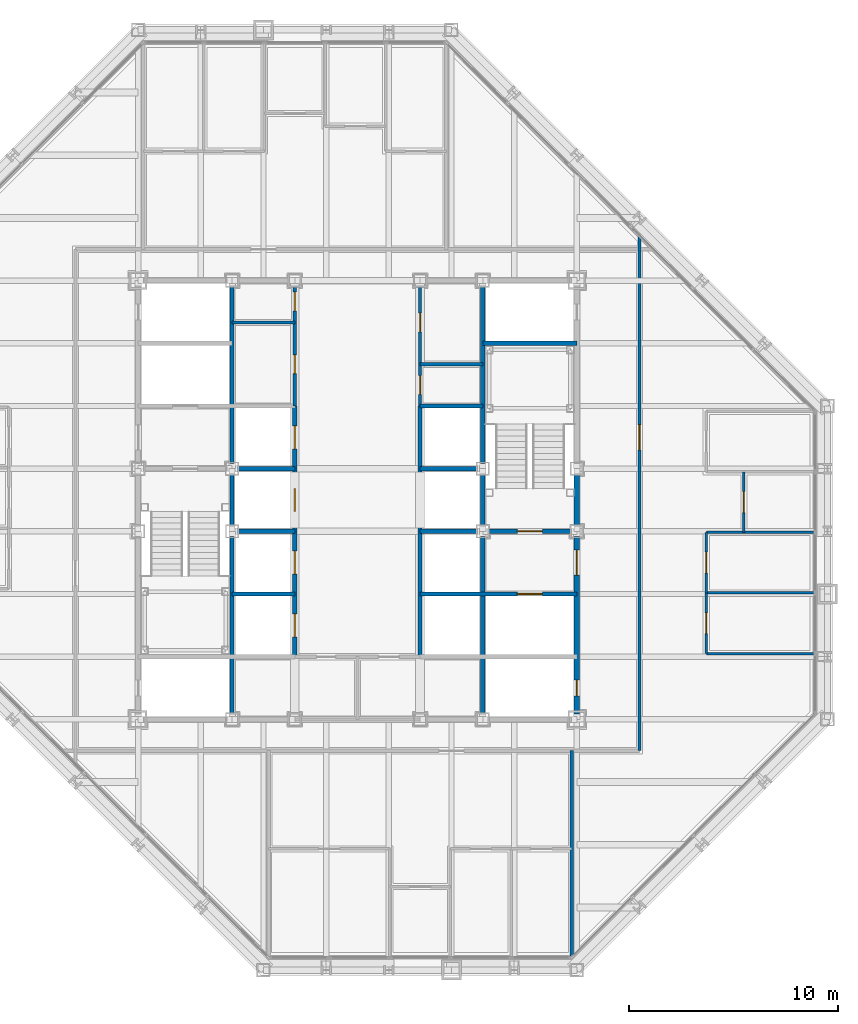
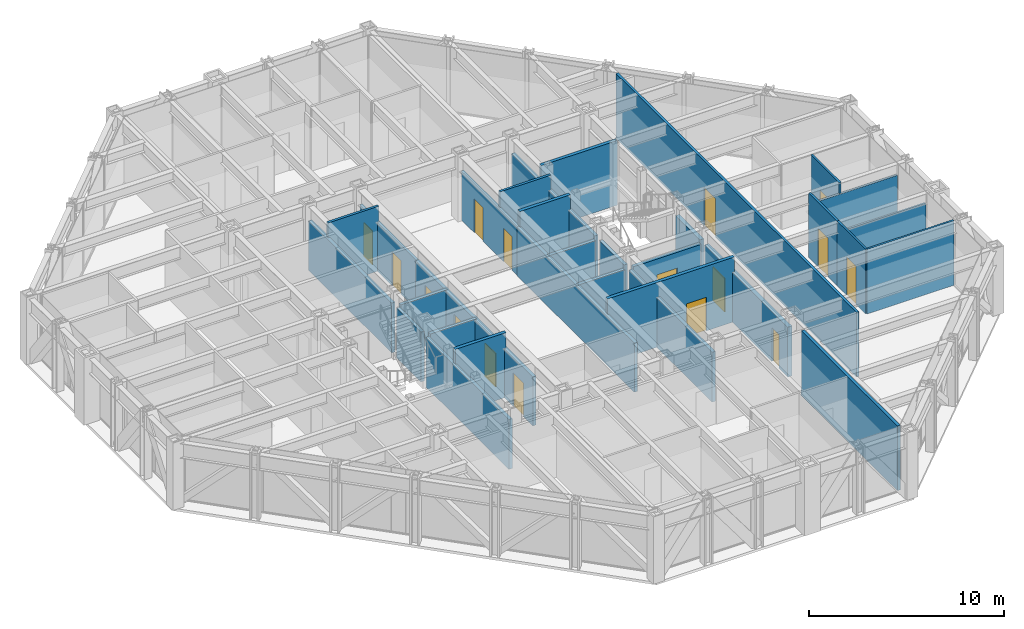
# One storey, part 11 of 15: 31 walls, 16 doors, 16 openings.
"""IFC4 building model written with IfcOpenShell, lengths in metres."""

from ifc_helpers import new_model, si_unit, direction, frame, frame_2d, origin, place, context, subcontext, project, spatial, rectangle, extrude, material, layer, layer_set, type_object, element, fill, save


model = new_model("IFC4")

# Units and contexts
model_context = context("Model", 3, precision=1e-05, world=origin(), true_north=direction((0.0, 1.0)))
body_context = subcontext(model_context, "Body", "Model", "MODEL_VIEW")
ifc_project = project(units=[si_unit("LENGTHUNIT", "METRE"), si_unit("AREAUNIT", "SQUARE_METRE"), si_unit("VOLUMEUNIT", "CUBIC_METRE"), si_unit("PLANEANGLEUNIT", "RADIAN"), si_unit("MASSUNIT", "GRAM", prefix="KILO")], contexts=[model_context])

# Site, building, storey
site_placement = place(None, origin())
site = spatial("IfcSite", under=ifc_project, at=site_placement, CompositionType="ELEMENT")
building_placement = place(site_placement, origin())
building = spatial("IfcBuilding", under=site, at=building_placement, Name="Chuquiago Exchange Tower", CompositionType="ELEMENT")
storey_placement = place(building_placement, frame((0.0, 0.0, 197.10009765625)))
storey = spatial("IfcBuildingStorey", under=building, at=storey_placement, Name="L43", CompositionType="ELEMENT", Elevation=197.10009765625)

# Wall, openings, doors
ifc_material_1 = material(Name="Concrete masonry, fully grouted", Category="masonry")
ifc_layer_1 = layer(ifc_material_1, 0.25)
ifc_layer_set_1 = layer_set([ifc_layer_1], Name="W1 core wall 250")
wall_type_1 = type_object("IfcWallType", Name="W1 core wall 250", PredefinedType="SOLIDWALL", material=ifc_layer_set_1)
wall_1_placement = place(storey_placement, frame((33.0, 12.25, 0.0), z_axis=(0.0, 0.0, 1.0), x_axis=(0.0, 1.0, 0.0)))
wall_1 = element("IfcWall", 1, at=wall_1_placement, inside=storey, type_object=wall_type_1, Name="CW-L43-25-0", PredefinedType="SOLIDWALL", context=body_context, shape_type="SweptSolid", body=[
    extrude(rectangle(XDim=8.5, YDim=0.25, at=frame_2d((4.25, 0.0))), origin(), (0.0, 0.0, 1.0), 3.11279296875),
])
opening_1_placement = place(wall_1_placement, frame((6.64990234375, 0.0, 0.0)))
opening_1 = element("IfcOpeningElement", 2, at=opening_1_placement, cuts=wall_1, Name="Opening L43-004", PredefinedType="OPENING", context=body_context, shape_type="SweptSolid", body=[
    extrude(rectangle(XDim=1.199951171875, YDim=2.10009765625, at=frame_2d((0.60009765625, 1.050048828125))), frame((0.0, 0.135009765625, 0.0), z_axis=(0.0, -1.0, 0.0), x_axis=(1.0, 0.0, 0.0)), (0.0, 0.0, 1.0), 0.27001953125),
])
opening_2_placement = place(wall_1_placement, frame((0.875, 0.0, 0.0)))
opening_2 = element("IfcOpeningElement", 3, at=opening_2_placement, cuts=wall_1, Name="Opening L43-009", PredefinedType="OPENING", context=body_context, shape_type="SweptSolid", body=[
    extrude(rectangle(XDim=0.75, YDim=2.10009765625, at=frame_2d((0.375, 1.050048828125))), frame((0.0, 0.135009765625, 0.0), z_axis=(0.0, -1.0, 0.0), x_axis=(1.0, 0.0, 0.0)), (0.0, 0.0, 1.0), 0.27001953125),
])
ifc_material_2 = material(Name="Steel door, painted", Category="steel")
door_type_1 = type_object("IfcDoorType", Name="D5 firefighting lobby door 1200x2100", OperationType="SINGLE_SWING_LEFT", PredefinedType="DOOR", material=ifc_material_2)
door_1_placement = place(opening_1_placement, origin())
door_1 = element("IfcDoor", 4, at=door_1_placement, inside=storey, type_object=door_type_1, Name="Firefighting lobby 2 door", OperationType="SINGLE_SWING_RIGHT", OverallHeight=2.10009765625, OverallWidth=1.199951171875, PredefinedType="DOOR", context=body_context, shape_type="SweptSolid", body=[
    extrude(rectangle(XDim=1.199951171875, YDim=2.10009765625, at=frame_2d((0.60009765625, 1.050048828125))), frame((0.0, 0.02490234375, 0.0), z_axis=(0.0, -1.0, 0.0), x_axis=(1.0, 0.0, 0.0)), (0.0, 0.0, 1.0), 0.050048828125),
])
fill(opening_1, door_1)
ifc_material_3 = material(Name="Steel door, painted", Category="steel")
door_type_2 = type_object("IfcDoorType", Name="D6 riser access door 750x2100", OperationType="SINGLE_SWING_LEFT", PredefinedType="DOOR", material=ifc_material_3)
door_2_placement = place(opening_2_placement, frame((0.75, 0.0, 0.0), z_axis=(0.0, 0.0, 1.0), x_axis=(-1.0, 0.0, 0.0)))
door_2 = element("IfcDoor", 5, at=door_2_placement, inside=storey, type_object=door_type_2, Name="Riser RE1 door", OperationType="SINGLE_SWING_RIGHT", OverallHeight=2.10009765625, OverallWidth=0.75, PredefinedType="DOOR", context=body_context, shape_type="SweptSolid", body=[
    extrude(rectangle(XDim=0.75, YDim=2.10009765625, at=frame_2d((0.375, 1.050048828125))), frame((0.0, 0.02490234375, 0.0), z_axis=(0.0, -1.0, 0.0), x_axis=(1.0, 0.0, 0.0)), (0.0, 0.0, 1.0), 0.050048828125),
])
fill(opening_2, door_2)

# Wall
wall_2_placement = place(storey_placement, frame((33.0, 21.25, 0.0), z_axis=(0.0, 0.0, 1.0), x_axis=(0.0, 1.0, 0.0)))
element("IfcWall", 6, at=wall_2_placement, inside=storey, type_object=wall_type_1, Name="CW-L43-25-1", PredefinedType="SOLIDWALL", context=body_context, shape_type="SweptSolid", body=[
    extrude(rectangle(XDim=2.5, YDim=0.25, at=frame_2d((1.25, 0.0))), origin(), (0.0, 0.0, 1.0), 3.11279296875),
])

# Wall, opening, door
ifc_material_4 = material(Name="Gypsum board on steel studs, acoustic insulation", Category="steel")
ifc_layer_2 = layer(ifc_material_4, 0.14990234375)
ifc_layer_set_2 = layer_set([ifc_layer_2], Name="W11 corridor wall 150")
wall_type_2 = type_object("IfcWallType", Name="W11 corridor wall 150", PredefinedType="PARTITIONING", material=ifc_layer_set_2)
wall_3_placement = place(storey_placement, frame((36.0, 10.5, 0.0), z_axis=(0.0, 0.0, 1.0), x_axis=(0.0, 1.0, 0.0)))
wall_3 = element("IfcWall", 7, at=wall_3_placement, inside=storey, type_object=wall_type_2, Name="PW-L43-CE", PredefinedType="PARTITIONING", context=body_context, shape_type="SweptSolid", body=[
    extrude(rectangle(XDim=24.614501953125, YDim=0.14990234375, at=frame_2d((12.30712890625, 0.0))), origin(), (0.0, 0.0, 1.0), 4.039794921875),
])
opening_3_placement = place(wall_3_placement, frame((14.39990234375, 0.0, 0.0)))
opening_3 = element("IfcOpeningElement", 8, at=opening_3_placement, cuts=wall_3, Name="Opening L43-042", PredefinedType="OPENING", context=body_context, shape_type="SweptSolid", body=[
    extrude(rectangle(XDim=1.199951171875, YDim=2.39990234375, at=frame_2d((0.60009765625, 1.199951171875))), frame((0.0, 0.0849609375, 0.0), z_axis=(0.0, -1.0, 0.0), x_axis=(1.0, 0.0, 0.0)), (0.0, 0.0, 1.0), 0.169921875),
])
ifc_material_5 = material(Name="Timber door, laminate faced", Category="wood")
door_type_3 = type_object("IfcDoorType", Name="D13 suite entrance door 1200x2400", OperationType="SINGLE_SWING_LEFT", PredefinedType="DOOR", material=ifc_material_5)
door_3_placement = place(opening_3_placement, frame((1.199951171875, 0.0, 0.0), z_axis=(0.0, 0.0, 1.0), x_axis=(-1.0, 0.0, 0.0)))
door_3 = element("IfcDoor", 9, at=door_3_placement, inside=storey, type_object=door_type_3, Name="East suite entrance door", OperationType="SINGLE_SWING_LEFT", OverallHeight=2.39990234375, OverallWidth=1.199951171875, PredefinedType="DOOR", context=body_context, shape_type="SweptSolid", body=[
    extrude(rectangle(XDim=1.199951171875, YDim=2.39990234375, at=frame_2d((0.60009765625, 1.199951171875))), frame((0.0, 0.02490234375, 0.0), z_axis=(0.0, -1.0, 0.0), x_axis=(1.0, 0.0, 0.0)), (0.0, 0.0, 1.0), 0.050048828125),
])
fill(opening_3, door_3)

# Walls
ifc_material_6 = material(Name="Gypsum board on twin steel studs, acoustic insulation", Category="steel")
ifc_layer_3 = layer(ifc_material_6, 0.175048828125)
ifc_layer_set_3 = layer_set([ifc_layer_3], Name="W12 tenant demising wall 175")
wall_type_3 = type_object("IfcWallType", Name="W12 tenant demising wall 175", PredefinedType="PARTITIONING", material=ifc_layer_set_3)
wall_4_placement = place(storey_placement, frame((32.75146484375, 0.666015625, 0.0), z_axis=(0.0, 0.0, 1.0), x_axis=(0.0, 1.0, 0.0)))
element("IfcWall", 10, at=wall_4_placement, inside=storey, type_object=wall_type_3, Name="PW-L43-DS03275", PredefinedType="PARTITIONING", context=body_context, shape_type="SweptSolid", body=[
    extrude(rectangle(XDim=9.833984375, YDim=0.175048828125, at=frame_2d((4.9169921875, 0.0))), origin(), (0.0, 0.0, 1.0), 4.039794921875),
])
ifc_material_7 = material(Name="Concrete masonry, fully grouted", Category="masonry")
ifc_layer_4 = layer(ifc_material_7, 0.199951171875)
ifc_layer_set_4 = layer_set([ifc_layer_4], Name="W2 shaft wall 200")
wall_type_4 = type_object("IfcWallType", Name="W2 shaft wall 200", PredefinedType="SOLIDWALL", material=ifc_layer_set_4)
for number, where, z_axis, x_axis, name in (
    (11, (16.75, 24.0, 0.0), (0.0, 0.0, 1.0), (1.0, 0.0, 0.0), "CW-L43-05-1"),
    (12, (25.5, 24.0, 0.0), (0.0, 0.0, 1.0), (1.0, 0.0, 0.0), "CW-L43-06-0"),
):
    element("IfcWall", number, at=place(storey_placement, frame(where, z_axis=z_axis, x_axis=x_axis)), inside=storey, type_object=wall_type_4, Name=name, PredefinedType="SOLIDWALL", context=body_context, shape_type="SweptSolid", body=[
        extrude(rectangle(XDim=2.75, YDim=0.199951171875, at=frame_2d((1.375, 0.0))), origin(), (0.0, 0.0, 1.0), 3.08984375),
    ])
wall_5_placement = place(storey_placement, frame((25.5, 27.0, 0.0), z_axis=(0.0, 0.0, 1.0), x_axis=(1.0, 0.0, 0.0)))
element("IfcWall", 13, at=wall_5_placement, inside=storey, type_object=wall_type_4, Name="CW-L43-08-0", PredefinedType="SOLIDWALL", context=body_context, shape_type="SweptSolid", body=[
    extrude(rectangle(XDim=3.0, YDim=0.199951171875, at=frame_2d((1.5, 0.0))), origin(), (0.0, 0.0, 1.0), 4.039794921875),
])
wall_6_placement = place(storey_placement, frame((28.5, 30.0, 0.0), z_axis=(0.0, 0.0, 1.0), x_axis=(1.0, 0.0, 0.0)))
element("IfcWall", 14, at=wall_6_placement, inside=storey, type_object=wall_type_4, Name="CW-L43-10-0", PredefinedType="SOLIDWALL", context=body_context, shape_type="SweptSolid", body=[
    extrude(rectangle(XDim=4.5, YDim=0.199951171875, at=frame_2d((2.25, 0.0))), origin(), (0.0, 0.0, 1.0), 4.039794921875),
])
wall_7_placement = place(storey_placement, frame((16.5, 12.25, 0.0), z_axis=(0.0, 0.0, 1.0), x_axis=(0.0, 1.0, 0.0)))
element("IfcWall", 15, at=wall_7_placement, inside=storey, type_object=wall_type_4, Name="CW-L43-13-0", PredefinedType="SOLIDWALL", context=body_context, shape_type="SweptSolid", body=[
    extrude(rectangle(XDim=8.5, YDim=0.199951171875, at=frame_2d((4.25, 0.0))), origin(), (0.0, 0.0, 1.0), 3.11279296875),
])
wall_8_placement = place(storey_placement, frame((16.5, 21.25, 0.0), z_axis=(0.0, 0.0, 1.0), x_axis=(0.0, 1.0, 0.0)))
element("IfcWall", 16, at=wall_8_placement, inside=storey, type_object=wall_type_4, Name="CW-L43-13-1", PredefinedType="SOLIDWALL", context=body_context, shape_type="SweptSolid", body=[
    extrude(rectangle(XDim=2.5, YDim=0.199951171875, at=frame_2d((1.25, 0.0))), origin(), (0.0, 0.0, 1.0), 3.11279296875),
])
wall_9_placement = place(storey_placement, frame((16.5, 24.25, 0.0), z_axis=(0.0, 0.0, 1.0), x_axis=(0.0, 1.0, 0.0)))
element("IfcWall", 17, at=wall_9_placement, inside=storey, type_object=wall_type_4, Name="CW-L43-13-2", PredefinedType="SOLIDWALL", context=body_context, shape_type="SweptSolid", body=[
    extrude(rectangle(XDim=8.5, YDim=0.199951171875, at=frame_2d((4.25, 0.0))), origin(), (0.0, 0.0, 1.0), 3.11279296875),
])
wall_10_placement = place(storey_placement, frame((16.5, 18.0, 0.0), z_axis=(0.0, 0.0, 1.0), x_axis=(1.0, 0.0, 0.0)))
element("IfcWall", 18, at=wall_10_placement, inside=storey, type_object=wall_type_4, Name="CW-L43-14-0", PredefinedType="SOLIDWALL", context=body_context, shape_type="SweptSolid", body=[
    extrude(rectangle(XDim=3.0, YDim=0.199951171875, at=frame_2d((1.5, 0.0))), origin(), (0.0, 0.0, 1.0), 4.039794921875),
])

# Wall, opening, door
wall_11_placement = place(storey_placement, frame((25.5, 18.0, 0.0), z_axis=(0.0, 0.0, 1.0), x_axis=(1.0, 0.0, 0.0)))
wall_11 = element("IfcWall", 19, at=wall_11_placement, inside=storey, type_object=wall_type_4, Name="CW-L43-15-0", PredefinedType="SOLIDWALL", context=body_context, shape_type="SweptSolid", body=[
    extrude(rectangle(XDim=7.5, YDim=0.199951171875, at=frame_2d((3.75, 0.0))), origin(), (0.0, 0.0, 1.0), 4.039794921875),
])
opening_4_placement = place(wall_11_placement, frame((4.64990234375, 0.0, 0.0)))
opening_4 = element("IfcOpeningElement", 20, at=opening_4_placement, cuts=wall_11, Name="Opening L43-006", PredefinedType="OPENING", context=body_context, shape_type="SweptSolid", body=[
    extrude(rectangle(XDim=1.199951171875, YDim=2.10009765625, at=frame_2d((0.60009765625, 1.050048828125))), frame((0.0, 0.10986328125, 0.0), z_axis=(0.0, -1.0, 0.0), x_axis=(1.0, 0.0, 0.0)), (0.0, 0.0, 1.0), 0.219970703125),
])
ifc_material_8 = material(Name="Stainless steel lift landing door", Category="steel")
door_type_4 = type_object("IfcDoorType", Name="LD2 firefighting lift landing door 1200x2100", OperationType="DOUBLE_DOOR_SLIDING", PredefinedType="DOOR", material=ifc_material_8)
door_4_placement = place(opening_4_placement, origin())
door_4 = element("IfcDoor", 21, at=door_4_placement, inside=storey, type_object=door_type_4, Name="Firefighting lift FL2 landing door", OperationType="DOUBLE_DOOR_SLIDING", OverallHeight=2.10009765625, OverallWidth=1.199951171875, PredefinedType="DOOR", context=body_context, shape_type="SweptSolid", body=[
    extrude(rectangle(XDim=1.199951171875, YDim=2.10009765625, at=frame_2d((0.60009765625, 1.050048828125))), frame((0.0, 0.02490234375, 0.0), z_axis=(0.0, -1.0, 0.0), x_axis=(1.0, 0.0, 0.0)), (0.0, 0.0, 1.0), 0.050048828125),
])
fill(opening_4, door_4)

# Walls
for number, where, z_axis, x_axis, name in (
    (22, (16.75, 21.0, 0.0), (0.0, 0.0, 1.0), (1.0, 0.0, 0.0), "CW-L43-16-0"),
    (23, (25.5, 21.0, 0.0), (0.0, 0.0, 1.0), (1.0, 0.0, 0.0), "CW-L43-17-0"),
):
    element("IfcWall", number, at=place(storey_placement, frame(where, z_axis=z_axis, x_axis=x_axis)), inside=storey, type_object=wall_type_4, Name=name, PredefinedType="SOLIDWALL", context=body_context, shape_type="SweptSolid", body=[
        extrude(rectangle(XDim=2.75, YDim=0.199951171875, at=frame_2d((1.375, 0.0))), origin(), (0.0, 0.0, 1.0), 3.08984375),
    ])

# Wall, opening, door
wall_12_placement = place(storey_placement, frame((28.75, 21.0, 0.0), z_axis=(0.0, 0.0, 1.0), x_axis=(1.0, 0.0, 0.0)))
wall_12 = element("IfcWall", 24, at=wall_12_placement, inside=storey, type_object=wall_type_4, Name="CW-L43-17-1", PredefinedType="SOLIDWALL", context=body_context, shape_type="SweptSolid", body=[
    extrude(rectangle(XDim=4.0, YDim=0.199951171875, at=frame_2d((2.0, 0.0))), origin(), (0.0, 0.0, 1.0), 3.08984375),
])
opening_5_placement = place(wall_12_placement, frame((1.39990234375, 0.0, 0.0)))
opening_5 = element("IfcOpeningElement", 25, at=opening_5_placement, cuts=wall_12, Name="Opening L43-003", PredefinedType="OPENING", context=body_context, shape_type="SweptSolid", body=[
    extrude(rectangle(XDim=1.199951171875, YDim=2.10009765625, at=frame_2d((0.60009765625, 1.050048828125))), frame((0.0, 0.10986328125, 0.0), z_axis=(0.0, -1.0, 0.0), x_axis=(1.0, 0.0, 0.0)), (0.0, 0.0, 1.0), 0.219970703125),
])
ifc_material_9 = material(Name="Steel door, painted", Category="steel")
door_type_5 = type_object("IfcDoorType", Name="D4 stair door 1200x2100", OperationType="SINGLE_SWING_LEFT", PredefinedType="DOOR", material=ifc_material_9)
door_5_placement = place(opening_5_placement, origin())
door_5 = element("IfcDoor", 26, at=door_5_placement, inside=storey, type_object=door_type_5, Name="Stair ST2 door", OperationType="SINGLE_SWING_LEFT", OverallHeight=2.10009765625, OverallWidth=1.199951171875, PredefinedType="DOOR", context=body_context, shape_type="SweptSolid", body=[
    extrude(rectangle(XDim=1.199951171875, YDim=2.10009765625, at=frame_2d((0.60009765625, 1.050048828125))), frame((0.0, 0.02490234375, 0.0), z_axis=(0.0, -1.0, 0.0), x_axis=(1.0, 0.0, 0.0)), (0.0, 0.0, 1.0), 0.050048828125),
])
fill(opening_5, door_5)

# Wall, openings, doors
wall_13_placement = place(storey_placement, frame((19.5, 15.0, 0.0), z_axis=(0.0, 0.0, 1.0), x_axis=(0.0, 1.0, 0.0)))
wall_13 = element("IfcWall", 27, at=wall_13_placement, inside=storey, type_object=wall_type_4, Name="CW-L43-19-0", PredefinedType="SOLIDWALL", context=body_context, shape_type="SweptSolid", body=[
    extrude(rectangle(XDim=12.0, YDim=0.199951171875, at=frame_2d((6.0, 0.0))), origin(), (0.0, 0.0, 1.0), 3.064453125),
])
opening_6_placement = place(wall_13_placement, frame((0.949951171875, 0.0, 0.0)))
opening_6 = element("IfcOpeningElement", 28, at=opening_6_placement, cuts=wall_13, Name="Opening L43-017", PredefinedType="OPENING", context=body_context, shape_type="SweptSolid", body=[
    extrude(rectangle(XDim=1.10009765625, YDim=2.10009765625, at=frame_2d((0.550048828125, 1.050048828125))), frame((0.0, 0.10986328125, 0.0), z_axis=(0.0, -1.0, 0.0), x_axis=(1.0, 0.0, 0.0)), (0.0, 0.0, 1.0), 0.219970703125),
])
opening_7_placement = place(wall_13_placement, frame((3.949951171875, 0.0, 0.0)))
opening_7 = element("IfcOpeningElement", 29, at=opening_7_placement, cuts=wall_13, Name="Opening L43-018", PredefinedType="OPENING", context=body_context, shape_type="SweptSolid", body=[
    extrude(rectangle(XDim=1.10009765625, YDim=2.10009765625, at=frame_2d((0.550048828125, 1.050048828125))), frame((0.0, 0.10986328125, 0.0), z_axis=(0.0, -1.0, 0.0), x_axis=(1.0, 0.0, 0.0)), (0.0, 0.0, 1.0), 0.219970703125),
])
opening_8_placement = place(wall_13_placement, frame((6.949951171875, 0.0, 0.0)))
opening_8 = element("IfcOpeningElement", 30, at=opening_8_placement, cuts=wall_13, Name="Opening L43-019", PredefinedType="OPENING", context=body_context, shape_type="SweptSolid", body=[
    extrude(rectangle(XDim=1.10009765625, YDim=2.10009765625, at=frame_2d((0.550048828125, 1.050048828125))), frame((0.0, 0.10986328125, 0.0), z_axis=(0.0, -1.0, 0.0), x_axis=(1.0, 0.0, 0.0)), (0.0, 0.0, 1.0), 0.219970703125),
])
opening_9_placement = place(wall_13_placement, frame((9.949951171875, 0.0, 0.0)))
opening_9 = element("IfcOpeningElement", 31, at=opening_9_placement, cuts=wall_13, Name="Opening L43-020", PredefinedType="OPENING", context=body_context, shape_type="SweptSolid", body=[
    extrude(rectangle(XDim=1.10009765625, YDim=2.10009765625, at=frame_2d((0.550048828125, 1.050048828125))), frame((0.0, 0.10986328125, 0.0), z_axis=(0.0, -1.0, 0.0), x_axis=(1.0, 0.0, 0.0)), (0.0, 0.0, 1.0), 0.219970703125),
])
ifc_material_10 = material(Name="Stainless steel lift landing door", Category="steel")
door_type_6 = type_object("IfcDoorType", Name="LD1 lift landing door 1100x2100", OperationType="DOUBLE_DOOR_SLIDING", PredefinedType="DOOR", material=ifc_material_10)
door_6_placement = place(opening_6_placement, origin())
door_6 = element("IfcDoor", 32, at=door_6_placement, inside=storey, type_object=door_type_6, Name="Lift LC1 landing door", OperationType="DOUBLE_DOOR_SLIDING", OverallHeight=2.10009765625, OverallWidth=1.10009765625, PredefinedType="DOOR", context=body_context, shape_type="SweptSolid", body=[
    extrude(rectangle(XDim=1.10009765625, YDim=2.10009765625, at=frame_2d((0.550048828125, 1.050048828125))), frame((0.0, 0.02490234375, 0.0), z_axis=(0.0, -1.0, 0.0), x_axis=(1.0, 0.0, 0.0)), (0.0, 0.0, 1.0), 0.050048828125),
])
fill(opening_6, door_6)
door_7_placement = place(opening_7_placement, origin())
door_7 = element("IfcDoor", 33, at=door_7_placement, inside=storey, type_object=door_type_6, Name="Lift LC2 landing door", OperationType="DOUBLE_DOOR_SLIDING", OverallHeight=2.10009765625, OverallWidth=1.10009765625, PredefinedType="DOOR", context=body_context, shape_type="SweptSolid", body=[
    extrude(rectangle(XDim=1.10009765625, YDim=2.10009765625, at=frame_2d((0.550048828125, 1.050048828125))), frame((0.0, 0.02490234375, 0.0), z_axis=(0.0, -1.0, 0.0), x_axis=(1.0, 0.0, 0.0)), (0.0, 0.0, 1.0), 0.050048828125),
])
fill(opening_7, door_7)
door_8_placement = place(opening_8_placement, origin())
door_8 = element("IfcDoor", 34, at=door_8_placement, inside=storey, type_object=door_type_6, Name="Lift LC3 landing door", OperationType="DOUBLE_DOOR_SLIDING", OverallHeight=2.10009765625, OverallWidth=1.10009765625, PredefinedType="DOOR", context=body_context, shape_type="SweptSolid", body=[
    extrude(rectangle(XDim=1.10009765625, YDim=2.10009765625, at=frame_2d((0.550048828125, 1.050048828125))), frame((0.0, 0.02490234375, 0.0), z_axis=(0.0, -1.0, 0.0), x_axis=(1.0, 0.0, 0.0)), (0.0, 0.0, 1.0), 0.050048828125),
])
fill(opening_8, door_8)
door_9_placement = place(opening_9_placement, origin())
door_9 = element("IfcDoor", 35, at=door_9_placement, inside=storey, type_object=door_type_6, Name="Lift LC4 landing door", OperationType="DOUBLE_DOOR_SLIDING", OverallHeight=2.10009765625, OverallWidth=1.10009765625, PredefinedType="DOOR", context=body_context, shape_type="SweptSolid", body=[
    extrude(rectangle(XDim=1.10009765625, YDim=2.10009765625, at=frame_2d((0.550048828125, 1.050048828125))), frame((0.0, 0.02490234375, 0.0), z_axis=(0.0, -1.0, 0.0), x_axis=(1.0, 0.0, 0.0)), (0.0, 0.0, 1.0), 0.050048828125),
])
fill(opening_9, door_9)

# Walls
wall_14_placement = place(storey_placement, frame((25.5, 15.0, 0.0), z_axis=(0.0, 0.0, 1.0), x_axis=(0.0, 1.0, 0.0)))
element("IfcWall", 36, at=wall_14_placement, inside=storey, type_object=wall_type_4, Name="CW-L43-22-0", PredefinedType="SOLIDWALL", context=body_context, shape_type="SweptSolid", body=[
    extrude(rectangle(XDim=12.0, YDim=0.199951171875, at=frame_2d((6.0, 0.0))), origin(), (0.0, 0.0, 1.0), 3.064453125),
])
wall_15_placement = place(storey_placement, frame((28.5, 12.25, 0.0), z_axis=(0.0, 0.0, 1.0), x_axis=(0.0, 1.0, 0.0)))
element("IfcWall", 37, at=wall_15_placement, inside=storey, type_object=wall_type_4, Name="CW-L43-24-0", PredefinedType="SOLIDWALL", context=body_context, shape_type="SweptSolid", body=[
    extrude(rectangle(XDim=8.5, YDim=0.199951171875, at=frame_2d((4.25, 0.0))), origin(), (0.0, 0.0, 1.0), 3.11279296875),
])
wall_16_placement = place(storey_placement, frame((28.5, 21.25, 0.0), z_axis=(0.0, 0.0, 1.0), x_axis=(0.0, 1.0, 0.0)))
element("IfcWall", 38, at=wall_16_placement, inside=storey, type_object=wall_type_4, Name="CW-L43-24-1", PredefinedType="SOLIDWALL", context=body_context, shape_type="SweptSolid", body=[
    extrude(rectangle(XDim=2.5, YDim=0.199951171875, at=frame_2d((1.25, 0.0))), origin(), (0.0, 0.0, 1.0), 3.11279296875),
])
wall_17_placement = place(storey_placement, frame((28.5, 24.25, 0.0), z_axis=(0.0, 0.0, 1.0), x_axis=(0.0, 1.0, 0.0)))
element("IfcWall", 39, at=wall_17_placement, inside=storey, type_object=wall_type_4, Name="CW-L43-24-2", PredefinedType="SOLIDWALL", context=body_context, shape_type="SweptSolid", body=[
    extrude(rectangle(XDim=8.5, YDim=0.199951171875, at=frame_2d((4.25, 0.0))), origin(), (0.0, 0.0, 1.0), 3.11279296875),
])

# Wall, openings, doors
ifc_material_11 = material(Name="Gypsum board on steel studs", Category="steel")
ifc_layer_5 = layer(ifc_material_11, 0.14990234375)
ifc_layer_set_5 = layer_set([ifc_layer_5], Name="W3 core partition 150")
wall_type_5 = type_object("IfcWallType", Name="W3 core partition 150", PredefinedType="PARTITIONING", material=ifc_layer_set_5)
wall_18_placement = place(storey_placement, frame((19.5, 27.0, 0.0), z_axis=(0.0, 0.0, 1.0), x_axis=(0.0, 1.0, 0.0)))
wall_18 = element("IfcWall", 40, at=wall_18_placement, inside=storey, type_object=wall_type_5, Name="CW-L43-20-0", PredefinedType="PARTITIONING", context=body_context, shape_type="SweptSolid", body=[
    extrude(rectangle(XDim=5.75, YDim=0.14990234375, at=frame_2d((2.875, 0.0))), origin(), (0.0, 0.0, 1.0), 3.064453125),
])
opening_10_placement = place(wall_18_placement, frame((1.550048828125, 0.0, 0.0)))
opening_10 = element("IfcOpeningElement", 41, at=opening_10_placement, cuts=wall_18, Name="Opening L43-011", PredefinedType="OPENING", context=body_context, shape_type="SweptSolid", body=[
    extrude(rectangle(XDim=0.89990234375, YDim=2.10009765625, at=frame_2d((0.449951171875, 1.050048828125))), frame((0.0, 0.0849609375, 0.0), z_axis=(0.0, -1.0, 0.0), x_axis=(1.0, 0.0, 0.0)), (0.0, 0.0, 1.0), 0.169921875),
])
opening_11_placement = place(wall_18_placement, frame((4.550048828125, 0.0, 0.0)))
opening_11 = element("IfcOpeningElement", 42, at=opening_11_placement, cuts=wall_18, Name="Opening L43-012", PredefinedType="OPENING", context=body_context, shape_type="SweptSolid", body=[
    extrude(rectangle(XDim=0.89990234375, YDim=2.10009765625, at=frame_2d((0.449951171875, 1.050048828125))), frame((0.0, 0.0849609375, 0.0), z_axis=(0.0, -1.0, 0.0), x_axis=(1.0, 0.0, 0.0)), (0.0, 0.0, 1.0), 0.169921875),
])
ifc_material_12 = material(Name="Timber door, laminate faced", Category="wood")
door_type_7 = type_object("IfcDoorType", Name="D16 core room door 900x2100", OperationType="SINGLE_SWING_LEFT", PredefinedType="DOOR", material=ifc_material_12)
door_10_placement = place(opening_11_placement, origin())
door_10 = element("IfcDoor", 43, at=door_10_placement, inside=storey, type_object=door_type_7, Name="Staff shower room door", OperationType="SINGLE_SWING_RIGHT", OverallHeight=2.10009765625, OverallWidth=0.89990234375, PredefinedType="DOOR", context=body_context, shape_type="SweptSolid", body=[
    extrude(rectangle(XDim=0.89990234375, YDim=2.10009765625, at=frame_2d((0.449951171875, 1.050048828125))), frame((0.0, 0.02490234375, 0.0), z_axis=(0.0, -1.0, 0.0), x_axis=(1.0, 0.0, 0.0)), (0.0, 0.0, 1.0), 0.050048828125),
])
fill(opening_11, door_10)
ifc_material_13 = material(Name="Timber door, laminate faced", Category="wood")
door_type_8 = type_object("IfcDoorType", Name="D7 toilet door 900x2100", OperationType="SINGLE_SWING_LEFT", PredefinedType="DOOR", material=ifc_material_13)
door_11_placement = place(opening_10_placement, origin())
door_11 = element("IfcDoor", 44, at=door_11_placement, inside=storey, type_object=door_type_8, Name="Male WC door", OperationType="SINGLE_SWING_LEFT", OverallHeight=2.10009765625, OverallWidth=0.89990234375, PredefinedType="DOOR", context=body_context, shape_type="SweptSolid", body=[
    extrude(rectangle(XDim=0.89990234375, YDim=2.10009765625, at=frame_2d((0.449951171875, 1.050048828125))), frame((0.0, 0.02490234375, 0.0), z_axis=(0.0, -1.0, 0.0), x_axis=(1.0, 0.0, 0.0)), (0.0, 0.0, 1.0), 0.050048828125),
])
fill(opening_10, door_11)

wall_19_placement = place(storey_placement, frame((25.5, 27.0, 0.0), z_axis=(0.0, 0.0, 1.0), x_axis=(0.0, 1.0, 0.0)))
wall_19 = element("IfcWall", 45, at=wall_19_placement, inside=storey, type_object=wall_type_5, Name="CW-L43-23-0", PredefinedType="PARTITIONING", context=body_context, shape_type="SweptSolid", body=[
    extrude(rectangle(XDim=5.75, YDim=0.14990234375, at=frame_2d((2.875, 0.0))), origin(), (0.0, 0.0, 1.0), 3.064453125),
])
opening_12_placement = place(wall_19_placement, frame((0.550048828125, 0.0, 0.0)))
opening_12 = element("IfcOpeningElement", 46, at=opening_12_placement, cuts=wall_19, Name="Opening L43-013", PredefinedType="OPENING", context=body_context, shape_type="SweptSolid", body=[
    extrude(rectangle(XDim=0.89990234375, YDim=2.10009765625, at=frame_2d((0.449951171875, 1.050048828125))), frame((0.0, 0.0849609375, 0.0), z_axis=(0.0, -1.0, 0.0), x_axis=(1.0, 0.0, 0.0)), (0.0, 0.0, 1.0), 0.169921875),
])
opening_13_placement = place(wall_19_placement, frame((3.550048828125, 0.0, 0.0)))
opening_13 = element("IfcOpeningElement", 47, at=opening_13_placement, cuts=wall_19, Name="Opening L43-014", PredefinedType="OPENING", context=body_context, shape_type="SweptSolid", body=[
    extrude(rectangle(XDim=0.89990234375, YDim=2.10009765625, at=frame_2d((0.449951171875, 1.050048828125))), frame((0.0, 0.0849609375, 0.0), z_axis=(0.0, -1.0, 0.0), x_axis=(1.0, 0.0, 0.0)), (0.0, 0.0, 1.0), 0.169921875),
])
door_12_placement = place(opening_12_placement, frame((0.89990234375, 0.0, 0.0), z_axis=(0.0, 0.0, 1.0), x_axis=(-1.0, 0.0, 0.0)))
door_12 = element("IfcDoor", 48, at=door_12_placement, inside=storey, type_object=door_type_7, Name="First aid room door", OperationType="SINGLE_SWING_RIGHT", OverallHeight=2.10009765625, OverallWidth=0.89990234375, PredefinedType="DOOR", context=body_context, shape_type="SweptSolid", body=[
    extrude(rectangle(XDim=0.89990234375, YDim=2.10009765625, at=frame_2d((0.449951171875, 1.050048828125))), frame((0.0, 0.02490234375, 0.0), z_axis=(0.0, -1.0, 0.0), x_axis=(1.0, 0.0, 0.0)), (0.0, 0.0, 1.0), 0.050048828125),
])
fill(opening_12, door_12)
door_13_placement = place(opening_13_placement, frame((0.89990234375, 0.0, 0.0), z_axis=(0.0, 0.0, 1.0), x_axis=(-1.0, 0.0, 0.0)))
door_13 = element("IfcDoor", 49, at=door_13_placement, inside=storey, type_object=door_type_8, Name="Female WC door", OperationType="SINGLE_SWING_LEFT", OverallHeight=2.10009765625, OverallWidth=0.89990234375, PredefinedType="DOOR", context=body_context, shape_type="SweptSolid", body=[
    extrude(rectangle(XDim=0.89990234375, YDim=2.10009765625, at=frame_2d((0.449951171875, 1.050048828125))), frame((0.0, 0.02490234375, 0.0), z_axis=(0.0, -1.0, 0.0), x_axis=(1.0, 0.0, 0.0)), (0.0, 0.0, 1.0), 0.050048828125),
])
fill(opening_13, door_13)

# Walls
for number, where, z_axis, x_axis, name in (
    (50, (16.5, 31.0, 0.0), (0.0, 0.0, 1.0), (1.0, 0.0, 0.0), "CW-L43-WCMS"),
    (51, (25.5, 29.0, 0.0), (0.0, 0.0, 1.0), (1.0, 0.0, 0.0), "CW-L43-WCFS"),
):
    element("IfcWall", number, at=place(storey_placement, frame(where, z_axis=z_axis, x_axis=x_axis)), inside=storey, type_object=wall_type_5, Name=name, PredefinedType="PARTITIONING", context=body_context, shape_type="SweptSolid", body=[
        extrude(rectangle(XDim=3.0, YDim=0.14990234375, at=frame_2d((1.5, 0.0))), origin(), (0.0, 0.0, 1.0), 4.039794921875),
    ])
ifc_material_14 = material(Name="Gypsum board on steel studs", Category="steel")
ifc_layer_6 = layer(ifc_material_14, 0.1201171875)
ifc_layer_set_6 = layer_set([ifc_layer_6], Name="W4 partition 120")
wall_type_6 = type_object("IfcWallType", Name="W4 partition 120", PredefinedType="PARTITIONING", material=ifc_layer_set_6)
wall_20_placement = place(storey_placement, frame((44.347412109375, 15.149169921875, 0.0), z_axis=(0.0, 0.0, 1.0), x_axis=(-1.0, 0.0, 0.0)))
element("IfcWall", 52, at=wall_20_placement, inside=storey, type_object=wall_type_6, Name="PW-L43-E01515", PredefinedType="PARTITIONING", context=body_context, shape_type="SweptSolid", body=[
    extrude(rectangle(XDim=5.1474609375, YDim=0.1201171875, at=frame_2d((2.57373046875, 0.0))), origin(), (0.0, 0.0, 1.0), 4.039794921875),
])
for number, where, z_axis, x_axis, name in (
    (53, (44.347412109375, 18.0498046875, 0.0), (0.0, 0.0, 1.0), (-1.0, 0.0, 0.0), "PW-L43-E01805"),
    (54, (44.347412109375, 20.9501953125, 0.0), (0.0, 0.0, 1.0), (-1.0, 0.0, 0.0), "PW-L43-E02095"),
):
    element("IfcWall", number, at=place(storey_placement, frame(where, z_axis=z_axis, x_axis=x_axis)), inside=storey, type_object=wall_type_6, Name=name, PredefinedType="PARTITIONING", context=body_context, shape_type="SweptSolid", body=[
        extrude(rectangle(XDim=5.1474609375, YDim=0.1201171875, at=frame_2d((2.57373046875, 0.0))), origin(), (0.0, 0.0, 1.0), 3.356689453125),
    ])

# Wall, opening, door
wall_21_placement = place(storey_placement, frame((39.199951171875, 15.149169921875, 0.0), z_axis=(0.0, 0.0, 1.0), x_axis=(0.0, 1.0, 0.0)))
wall_21 = element("IfcWall", 55, at=wall_21_placement, inside=storey, type_object=wall_type_6, Name="PW-L43-EF01515", PredefinedType="PARTITIONING", context=body_context, shape_type="SweptSolid", body=[
    extrude(rectangle(XDim=2.900634765625, YDim=0.1201171875, at=frame_2d((1.4501953125, 0.0))), origin(), (0.0, 0.0, 1.0), 4.039794921875),
])
opening_14_placement = place(wall_21_placement, frame((0.9501953125, 0.0, 0.0)))
opening_14 = element("IfcOpeningElement", 56, at=opening_14_placement, cuts=wall_21, Name="Opening L43-025", PredefinedType="OPENING", context=body_context, shape_type="SweptSolid", body=[
    extrude(rectangle(XDim=1.0, YDim=2.39990234375, at=frame_2d((0.5, 1.199951171875))), frame((0.0, 0.070068359375, 0.0), z_axis=(0.0, -1.0, 0.0), x_axis=(1.0, 0.0, 0.0)), (0.0, 0.0, 1.0), 0.14013671875),
])
ifc_material_15 = material(Name="Timber door, laminate faced", Category="wood")
door_type_9 = type_object("IfcDoorType", Name="D9 room door 1000x2400", OperationType="SINGLE_SWING_LEFT", PredefinedType="DOOR", material=ifc_material_15)
door_14_placement = place(opening_14_placement, frame((1.0, 0.0, 0.0), z_axis=(0.0, 0.0, 1.0), x_axis=(-1.0, 0.0, 0.0)))
door_14 = element("IfcDoor", 57, at=door_14_placement, inside=storey, type_object=door_type_9, Name="Office door", OperationType="SINGLE_SWING_RIGHT", OverallHeight=2.39990234375, OverallWidth=1.0, PredefinedType="DOOR", context=body_context, shape_type="SweptSolid", body=[
    extrude(rectangle(XDim=1.0, YDim=2.39990234375, at=frame_2d((0.5, 1.199951171875))), frame((0.0, 0.02490234375, 0.0), z_axis=(0.0, -1.0, 0.0), x_axis=(1.0, 0.0, 0.0)), (0.0, 0.0, 1.0), 0.050048828125),
])
fill(opening_14, door_14)

wall_22_placement = place(storey_placement, frame((39.199951171875, 18.0498046875, 0.0), z_axis=(0.0, 0.0, 1.0), x_axis=(0.0, 1.0, 0.0)))
wall_22 = element("IfcWall", 58, at=wall_22_placement, inside=storey, type_object=wall_type_6, Name="PW-L43-EF01805", PredefinedType="PARTITIONING", context=body_context, shape_type="SweptSolid", body=[
    extrude(rectangle(XDim=2.900390625, YDim=0.1201171875, at=frame_2d((1.4501953125, 0.0))), origin(), (0.0, 0.0, 1.0), 4.039794921875),
])
opening_15_placement = place(wall_22_placement, frame((0.9501953125, 0.0, 0.0)))
opening_15 = element("IfcOpeningElement", 59, at=opening_15_placement, cuts=wall_22, Name="Opening L43-026", PredefinedType="OPENING", context=body_context, shape_type="SweptSolid", body=[
    extrude(rectangle(XDim=1.0, YDim=2.39990234375, at=frame_2d((0.5, 1.199951171875))), frame((0.0, 0.070068359375, 0.0), z_axis=(0.0, -1.0, 0.0), x_axis=(1.0, 0.0, 0.0)), (0.0, 0.0, 1.0), 0.14013671875),
])
door_15_placement = place(opening_15_placement, frame((1.0, 0.0, 0.0), z_axis=(0.0, 0.0, 1.0), x_axis=(-1.0, 0.0, 0.0)))
door_15 = element("IfcDoor", 60, at=door_15_placement, inside=storey, type_object=door_type_9, Name="Office door", OperationType="SINGLE_SWING_LEFT", OverallHeight=2.39990234375, OverallWidth=1.0, PredefinedType="DOOR", context=body_context, shape_type="SweptSolid", body=[
    extrude(rectangle(XDim=1.0, YDim=2.39990234375, at=frame_2d((0.5, 1.199951171875))), frame((0.0, 0.02490234375, 0.0), z_axis=(0.0, -1.0, 0.0), x_axis=(1.0, 0.0, 0.0)), (0.0, 0.0, 1.0), 0.050048828125),
])
fill(opening_15, door_15)

wall_23_placement = place(storey_placement, frame((41.0, 20.9501953125, 0.0), z_axis=(0.0, 0.0, 1.0), x_axis=(0.0, 1.0, 0.0)))
wall_23 = element("IfcWall", 61, at=wall_23_placement, inside=storey, type_object=wall_type_6, Name="PW-L43-EF02095", PredefinedType="PARTITIONING", context=body_context, shape_type="SweptSolid", body=[
    extrude(rectangle(XDim=2.900634765625, YDim=0.1201171875, at=frame_2d((1.4501953125, 0.0))), origin(), (0.0, 0.0, 1.0), 4.039794921875),
])
opening_16_placement = place(wall_23_placement, frame((0.9501953125, 0.0, 0.0)))
opening_16 = element("IfcOpeningElement", 62, at=opening_16_placement, cuts=wall_23, Name="Opening L43-027", PredefinedType="OPENING", context=body_context, shape_type="SweptSolid", body=[
    extrude(rectangle(XDim=1.0, YDim=2.39990234375, at=frame_2d((0.5, 1.199951171875))), frame((0.0, 0.070068359375, 0.0), z_axis=(0.0, -1.0, 0.0), x_axis=(1.0, 0.0, 0.0)), (0.0, 0.0, 1.0), 0.14013671875),
])
ifc_material_16 = material(Name="Timber frame door, full height glazed panel", Category="wood")
door_type_10 = type_object("IfcDoorType", Name="D14 glazed meeting room door 1000x2400", OperationType="SINGLE_SWING_LEFT", PredefinedType="DOOR", material=ifc_material_16)
door_16_placement = place(opening_16_placement, frame((1.0, 0.0, 0.0), z_axis=(0.0, 0.0, 1.0), x_axis=(-1.0, 0.0, 0.0)))
door_16 = element("IfcDoor", 63, at=door_16_placement, inside=storey, type_object=door_type_10, Name="Focus room door", OperationType="SINGLE_SWING_RIGHT", OverallHeight=2.39990234375, OverallWidth=1.0, PredefinedType="DOOR", context=body_context, shape_type="SweptSolid", body=[
    extrude(rectangle(XDim=1.0, YDim=2.39990234375, at=frame_2d((0.5, 1.199951171875))), frame((0.0, 0.02490234375, 0.0), z_axis=(0.0, -1.0, 0.0), x_axis=(1.0, 0.0, 0.0)), (0.0, 0.0, 1.0), 0.050048828125),
])
fill(opening_16, door_16)

save(model, "model.ifc")
